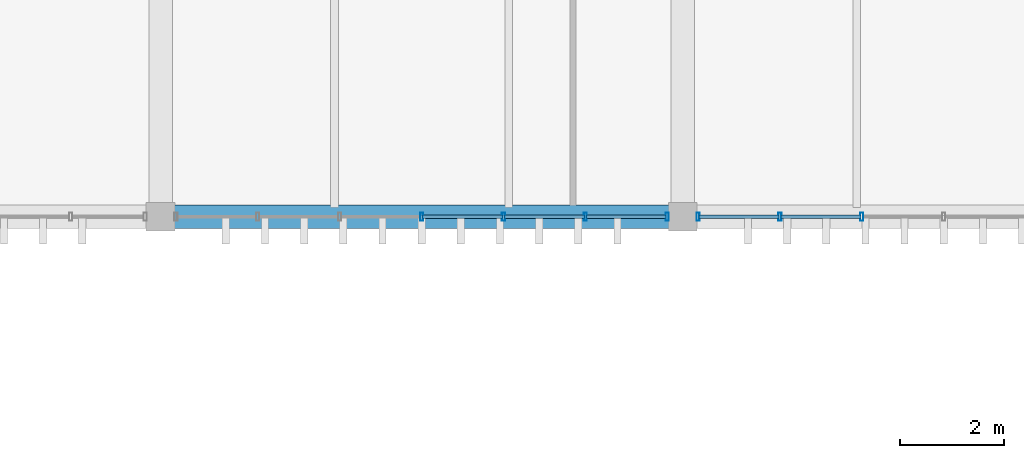
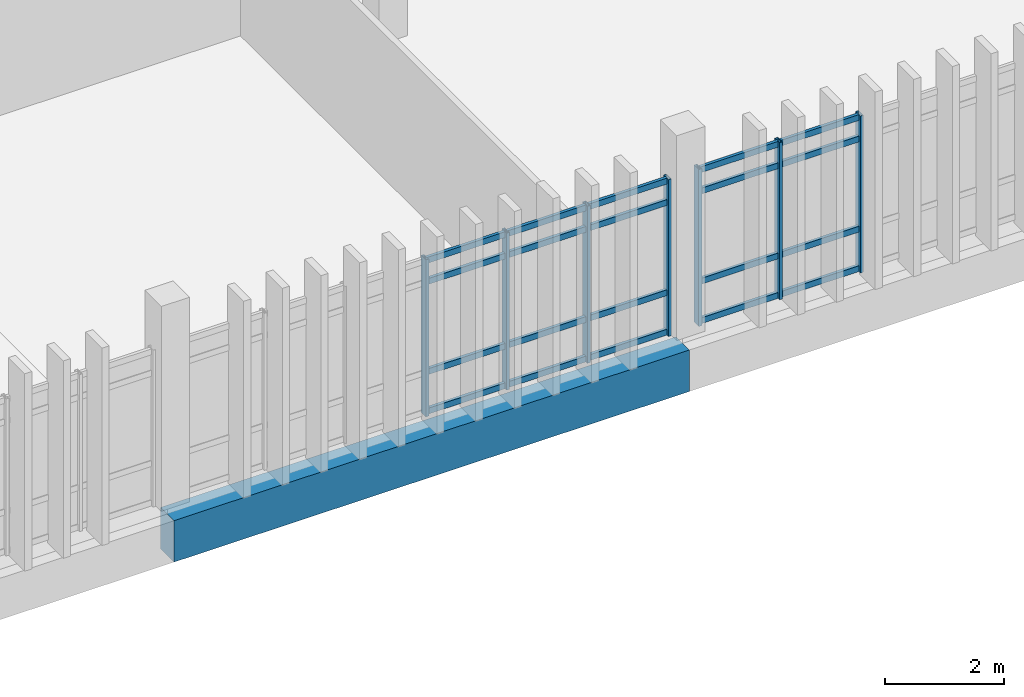
# One storey, part 7 of 29: 27 members, 1 beam, 2 elements without a shape of their own.
"""IFC4 building model written with IfcOpenShell, lengths in metres."""

from ifc_helpers import new_model, si_unit, direction, frame, origin, origin_2d, place, context, subcontext, project, spatial, rectangle, hollow_rectangle, extrude, material, layer, layer_set, material_profile, profile_set, type_object, element, aggregate, save


model = new_model("IFC4")

# Units and contexts
model_context = context("Model", 3, precision=1e-05, world=origin(), true_north=direction((0.0, 1.0)))
body_context = subcontext(model_context, "Body", "Model", "MODEL_VIEW")
ifc_project = project(units=[si_unit("LENGTHUNIT", "METRE"), si_unit("AREAUNIT", "SQUARE_METRE"), si_unit("VOLUMEUNIT", "CUBIC_METRE"), si_unit("PLANEANGLEUNIT", "RADIAN"), si_unit("MASSUNIT", "GRAM", prefix="KILO")], contexts=[model_context])

# Site, building, storey
site_placement = place(None, origin())
site = spatial("IfcSite", under=ifc_project, at=site_placement, CompositionType="ELEMENT")
building_placement = place(site_placement, origin())
building = spatial("IfcBuilding", under=site, at=building_placement, Name="Mersad Railyard Sports Hall", CompositionType="ELEMENT")
storey_placement = place(building_placement, frame((0.0, 0.0, 17.39990234375)))
storey = spatial("IfcBuildingStorey", under=building, at=storey_placement, Name="L04", CompositionType="ELEMENT", Elevation=17.39990234375)

# Curtain wall, members
ifc_material_1 = material(Name="Aluminium 6063-T6", Category="aluminium")
ifc_layer = layer(ifc_material_1, 0.159912109375)
ifc_layer_set = layer_set([ifc_layer], Name="Aluminium 6063-T6")
curtain_wall_type = type_object("IfcCurtainWallType", Name="ARC-CW-CW65", PredefinedType="USERDEFINED", material=ifc_layer_set)
curtain_wall_1_placement = place(storey_placement, origin())
curtain_wall_1 = element("IfcCurtainWall", 1, at=curtain_wall_1_placement, inside=storey, type_object=curtain_wall_type, Name="Curtain wall CW65-0168", ObjectType="CURTAIN WALL", PredefinedType="USERDEFINED")
ifc_material_profile_1 = material_profile(ifc_material_1, hollow_rectangle(XDim=0.06005859375, YDim=0.159912109375, WallThickness=0.00390625, at=origin_2d()), Name="AL MULLION 60x160x4")
ifc_profile_set_1 = profile_set([ifc_material_profile_1], Name="Aluminium 6063-T6")
member_type_1 = type_object("IfcMemberType", Name="ARC-CW-MUL01", PredefinedType="MULLION", material=ifc_profile_set_1)
member_1_placement = place(storey_placement, frame((100.705078125, 85.0, -0.02001953125), z_axis=(0.0, 0.0, 1.0), x_axis=(1.0, 0.0, 0.0)))
member_1 = element("IfcMember", 2, at=member_1_placement, type_object=member_type_1, Name="CW65 Mullion 1", PredefinedType="MULLION", context=body_context, shape_type="SweptSolid", body=[
    extrude(hollow_rectangle(XDim=0.06005859375, YDim=0.159912109375, WallThickness=0.00390625, at=origin_2d()), origin(), (0.0, 0.0, 1.0), 3.22021484375),
])
member_2_placement = place(storey_placement, frame((99.13671875, 85.0, -0.02001953125), z_axis=(0.0, 0.0, 1.0), x_axis=(1.0, 0.0, 0.0)))
member_2 = element("IfcMember", 3, at=member_2_placement, type_object=member_type_1, Name="CW65 Mullion 2", PredefinedType="MULLION", context=body_context, shape_type="SweptSolid", body=[
    extrude(hollow_rectangle(XDim=0.06005859375, YDim=0.159912109375, WallThickness=0.00390625, at=origin_2d()), origin(), (0.0, 0.0, 1.0), 3.22021484375),
])
member_3_placement = place(storey_placement, frame((97.568359375, 85.0, -0.02001953125), z_axis=(0.0, 0.0, 1.0), x_axis=(1.0, 0.0, 0.0)))
member_3 = element("IfcMember", 4, at=member_3_placement, type_object=member_type_1, Name="CW65 Mullion 3", PredefinedType="MULLION", context=body_context, shape_type="SweptSolid", body=[
    extrude(hollow_rectangle(XDim=0.06005859375, YDim=0.159912109375, WallThickness=0.00390625, at=origin_2d()), origin(), (0.0, 0.0, 1.0), 3.22021484375),
])
member_4_placement = place(storey_placement, frame((96.0, 85.0, -0.02001953125), z_axis=(0.0, 0.0, 1.0), x_axis=(1.0, 0.0, 0.0)))
member_4 = element("IfcMember", 5, at=member_4_placement, type_object=member_type_1, Name="CW65 Mullion 4", PredefinedType="MULLION", context=body_context, shape_type="SweptSolid", body=[
    extrude(hollow_rectangle(XDim=0.06005859375, YDim=0.159912109375, WallThickness=0.00390625, at=origin_2d()), origin(), (0.0, 0.0, 1.0), 3.22021484375),
])

curtain_wall_2_placement = place(storey_placement, origin())
curtain_wall_2 = element("IfcCurtainWall", 6, at=curtain_wall_2_placement, inside=storey, type_object=curtain_wall_type, Name="Curtain wall CW65-0169", ObjectType="CURTAIN WALL", PredefinedType="USERDEFINED")
member_5_placement = place(storey_placement, frame((104.431640625, 85.0, -0.02001953125), z_axis=(0.0, 0.0, 1.0), x_axis=(1.0, 0.0, 0.0)))
member_5 = element("IfcMember", 7, at=member_5_placement, type_object=member_type_1, Name="CW65 Mullion 5", PredefinedType="MULLION", context=body_context, shape_type="SweptSolid", body=[
    extrude(hollow_rectangle(XDim=0.06005859375, YDim=0.159912109375, WallThickness=0.00390625, at=origin_2d()), origin(), (0.0, 0.0, 1.0), 3.22021484375),
])
member_6_placement = place(storey_placement, frame((102.86328125, 85.0, -0.02001953125), z_axis=(0.0, 0.0, 1.0), x_axis=(1.0, 0.0, 0.0)))
member_6 = element("IfcMember", 8, at=member_6_placement, type_object=member_type_1, Name="CW65 Mullion 6", PredefinedType="MULLION", context=body_context, shape_type="SweptSolid", body=[
    extrude(hollow_rectangle(XDim=0.06005859375, YDim=0.159912109375, WallThickness=0.00390625, at=origin_2d()), origin(), (0.0, 0.0, 1.0), 3.22021484375),
])
member_7_placement = place(storey_placement, frame((101.294921875, 85.0, -0.02001953125), z_axis=(0.0, 0.0, 1.0), x_axis=(1.0, 0.0, 0.0)))
member_7 = element("IfcMember", 9, at=member_7_placement, type_object=member_type_1, Name="CW65 Mullion 7", PredefinedType="MULLION", context=body_context, shape_type="SweptSolid", body=[
    extrude(hollow_rectangle(XDim=0.06005859375, YDim=0.159912109375, WallThickness=0.00390625, at=origin_2d()), origin(), (0.0, 0.0, 1.0), 3.22021484375),
])

# Member
ifc_material_profile_2 = material_profile(ifc_material_1, hollow_rectangle(XDim=0.06005859375, YDim=0.1201171875, WallThickness=0.00390625, at=origin_2d()), Name="AL TRANSOM 60x120x4")
ifc_profile_set_2 = profile_set([ifc_material_profile_2], Name="Aluminium 6063-T6")
member_type_2 = type_object("IfcMemberType", Name="ARC-CW-TRN01", PredefinedType="USERDEFINED", material=ifc_profile_set_2)
member_8_placement = place(storey_placement, frame((100.68505859375, 85.0, 0.0400390625), z_axis=(-1.0, 0.0, 0.0), x_axis=(0.0, -1.0, 0.0)))
member_8 = element("IfcMember", 10, at=member_8_placement, type_object=member_type_2, Name="CW65 Transom 1-1", ObjectType="TRANSOM", PredefinedType="USERDEFINED", context=body_context, shape_type="SweptSolid", body=[
    extrude(hollow_rectangle(XDim=0.06005859375, YDim=0.1201171875, WallThickness=0.00390625, at=origin_2d()), origin(), (0.0, 0.0, 1.0), 1.5283203125),
])

member_9_placement = place(storey_placement, frame((99.11669921875, 85.0, 0.0400390625), z_axis=(-1.0, 0.0, 0.0), x_axis=(0.0, -1.0, 0.0)))
member_9 = element("IfcMember", 11, at=member_9_placement, type_object=member_type_2, Name="CW65 Transom 1-2", ObjectType="TRANSOM", PredefinedType="USERDEFINED", context=body_context, shape_type="SweptSolid", body=[
    extrude(hollow_rectangle(XDim=0.06005859375, YDim=0.1201171875, WallThickness=0.00390625, at=origin_2d()), origin(), (0.0, 0.0, 1.0), 1.5283203125),
])

member_10_placement = place(storey_placement, frame((97.54833984375, 85.0, 0.0400390625), z_axis=(-1.0, 0.0, 0.0), x_axis=(0.0, -1.0, 0.0)))
member_10 = element("IfcMember", 12, at=member_10_placement, type_object=member_type_2, Name="CW65 Transom 1-3", ObjectType="TRANSOM", PredefinedType="USERDEFINED", context=body_context, shape_type="SweptSolid", body=[
    extrude(hollow_rectangle(XDim=0.06005859375, YDim=0.1201171875, WallThickness=0.00390625, at=origin_2d()), origin(), (0.0, 0.0, 1.0), 1.5283203125),
])

member_11_placement = place(storey_placement, frame((100.68505859375, 85.0, 0.85009765625), z_axis=(-1.0, 0.0, 0.0), x_axis=(0.0, -1.0, 0.0)))
member_11 = element("IfcMember", 13, at=member_11_placement, type_object=member_type_2, Name="CW65 Transom 2-1", ObjectType="TRANSOM", PredefinedType="USERDEFINED", context=body_context, shape_type="SweptSolid", body=[
    extrude(hollow_rectangle(XDim=0.06005859375, YDim=0.1201171875, WallThickness=0.00390625, at=origin_2d()), origin(), (0.0, 0.0, 1.0), 1.5283203125),
])

member_12_placement = place(storey_placement, frame((99.11669921875, 85.0, 0.85009765625), z_axis=(-1.0, 0.0, 0.0), x_axis=(0.0, -1.0, 0.0)))
member_12 = element("IfcMember", 14, at=member_12_placement, type_object=member_type_2, Name="CW65 Transom 2-2", ObjectType="TRANSOM", PredefinedType="USERDEFINED", context=body_context, shape_type="SweptSolid", body=[
    extrude(hollow_rectangle(XDim=0.06005859375, YDim=0.1201171875, WallThickness=0.00390625, at=origin_2d()), origin(), (0.0, 0.0, 1.0), 1.5283203125),
])

member_13_placement = place(storey_placement, frame((97.54833984375, 85.0, 0.85009765625), z_axis=(-1.0, 0.0, 0.0), x_axis=(0.0, -1.0, 0.0)))
member_13 = element("IfcMember", 15, at=member_13_placement, type_object=member_type_2, Name="CW65 Transom 2-3", ObjectType="TRANSOM", PredefinedType="USERDEFINED", context=body_context, shape_type="SweptSolid", body=[
    extrude(hollow_rectangle(XDim=0.06005859375, YDim=0.1201171875, WallThickness=0.00390625, at=origin_2d()), origin(), (0.0, 0.0, 1.0), 1.5283203125),
])

member_14_placement = place(storey_placement, frame((100.68505859375, 85.0, 2.7001953125), z_axis=(-1.0, 0.0, 0.0), x_axis=(0.0, -1.0, 0.0)))
member_14 = element("IfcMember", 16, at=member_14_placement, type_object=member_type_2, Name="CW65 Transom 3-1", ObjectType="TRANSOM", PredefinedType="USERDEFINED", context=body_context, shape_type="SweptSolid", body=[
    extrude(hollow_rectangle(XDim=0.06005859375, YDim=0.1201171875, WallThickness=0.00390625, at=origin_2d()), origin(), (0.0, 0.0, 1.0), 1.5283203125),
])

member_15_placement = place(storey_placement, frame((99.11669921875, 85.0, 2.7001953125), z_axis=(-1.0, 0.0, 0.0), x_axis=(0.0, -1.0, 0.0)))
member_15 = element("IfcMember", 17, at=member_15_placement, type_object=member_type_2, Name="CW65 Transom 3-2", ObjectType="TRANSOM", PredefinedType="USERDEFINED", context=body_context, shape_type="SweptSolid", body=[
    extrude(hollow_rectangle(XDim=0.06005859375, YDim=0.1201171875, WallThickness=0.00390625, at=origin_2d()), origin(), (0.0, 0.0, 1.0), 1.5283203125),
])

member_16_placement = place(storey_placement, frame((97.54833984375, 85.0, 2.7001953125), z_axis=(-1.0, 0.0, 0.0), x_axis=(0.0, -1.0, 0.0)))
member_16 = element("IfcMember", 18, at=member_16_placement, type_object=member_type_2, Name="CW65 Transom 3-3", ObjectType="TRANSOM", PredefinedType="USERDEFINED", context=body_context, shape_type="SweptSolid", body=[
    extrude(hollow_rectangle(XDim=0.06005859375, YDim=0.1201171875, WallThickness=0.00390625, at=origin_2d()), origin(), (0.0, 0.0, 1.0), 1.5283203125),
])

member_17_placement = place(storey_placement, frame((100.68505859375, 85.0, 3.14013671875), z_axis=(-1.0, 0.0, 0.0), x_axis=(0.0, -1.0, 0.0)))
member_17 = element("IfcMember", 19, at=member_17_placement, type_object=member_type_2, Name="CW65 Transom 4-1", ObjectType="TRANSOM", PredefinedType="USERDEFINED", context=body_context, shape_type="SweptSolid", body=[
    extrude(hollow_rectangle(XDim=0.06005859375, YDim=0.1201171875, WallThickness=0.00390625, at=origin_2d()), origin(), (0.0, 0.0, 1.0), 1.5283203125),
])

member_18_placement = place(storey_placement, frame((99.11669921875, 85.0, 3.14013671875), z_axis=(-1.0, 0.0, 0.0), x_axis=(0.0, -1.0, 0.0)))
member_18 = element("IfcMember", 20, at=member_18_placement, type_object=member_type_2, Name="CW65 Transom 4-2", ObjectType="TRANSOM", PredefinedType="USERDEFINED", context=body_context, shape_type="SweptSolid", body=[
    extrude(hollow_rectangle(XDim=0.06005859375, YDim=0.1201171875, WallThickness=0.00390625, at=origin_2d()), origin(), (0.0, 0.0, 1.0), 1.5283203125),
])

member_19_placement = place(storey_placement, frame((97.54833984375, 85.0, 3.14013671875), z_axis=(-1.0, 0.0, 0.0), x_axis=(0.0, -1.0, 0.0)))
member_19 = element("IfcMember", 21, at=member_19_placement, type_object=member_type_2, Name="CW65 Transom 4-3", ObjectType="TRANSOM", PredefinedType="USERDEFINED", context=body_context, shape_type="SweptSolid", body=[
    extrude(hollow_rectangle(XDim=0.06005859375, YDim=0.1201171875, WallThickness=0.00390625, at=origin_2d()), origin(), (0.0, 0.0, 1.0), 1.5283203125),
])

aggregate(curtain_wall_1, [member_1, member_2, member_3, member_4, member_8, member_9, member_10, member_11, member_12, member_13, member_14, member_15, member_16, member_17, member_18, member_19])

member_20_placement = place(storey_placement, frame((104.41162109375, 85.0, 0.0400390625), z_axis=(-1.0, 0.0, 0.0), x_axis=(0.0, -1.0, 0.0)))
member_20 = element("IfcMember", 22, at=member_20_placement, type_object=member_type_2, Name="CW65 Transom 1-5", ObjectType="TRANSOM", PredefinedType="USERDEFINED", context=body_context, shape_type="SweptSolid", body=[
    extrude(hollow_rectangle(XDim=0.06005859375, YDim=0.1201171875, WallThickness=0.00390625, at=origin_2d()), origin(), (0.0, 0.0, 1.0), 1.5283203125),
])

member_21_placement = place(storey_placement, frame((102.84326171875, 85.0, 0.0400390625), z_axis=(-1.0, 0.0, 0.0), x_axis=(0.0, -1.0, 0.0)))
member_21 = element("IfcMember", 23, at=member_21_placement, type_object=member_type_2, Name="CW65 Transom 1-6", ObjectType="TRANSOM", PredefinedType="USERDEFINED", context=body_context, shape_type="SweptSolid", body=[
    extrude(hollow_rectangle(XDim=0.06005859375, YDim=0.1201171875, WallThickness=0.00390625, at=origin_2d()), origin(), (0.0, 0.0, 1.0), 1.5283203125),
])

member_22_placement = place(storey_placement, frame((104.41162109375, 85.0, 0.85009765625), z_axis=(-1.0, 0.0, 0.0), x_axis=(0.0, -1.0, 0.0)))
member_22 = element("IfcMember", 24, at=member_22_placement, type_object=member_type_2, Name="CW65 Transom 2-5", ObjectType="TRANSOM", PredefinedType="USERDEFINED", context=body_context, shape_type="SweptSolid", body=[
    extrude(hollow_rectangle(XDim=0.06005859375, YDim=0.1201171875, WallThickness=0.00390625, at=origin_2d()), origin(), (0.0, 0.0, 1.0), 1.5283203125),
])

member_23_placement = place(storey_placement, frame((102.84326171875, 85.0, 0.85009765625), z_axis=(-1.0, 0.0, 0.0), x_axis=(0.0, -1.0, 0.0)))
member_23 = element("IfcMember", 25, at=member_23_placement, type_object=member_type_2, Name="CW65 Transom 2-6", ObjectType="TRANSOM", PredefinedType="USERDEFINED", context=body_context, shape_type="SweptSolid", body=[
    extrude(hollow_rectangle(XDim=0.06005859375, YDim=0.1201171875, WallThickness=0.00390625, at=origin_2d()), origin(), (0.0, 0.0, 1.0), 1.5283203125),
])

member_24_placement = place(storey_placement, frame((104.41162109375, 85.0, 2.7001953125), z_axis=(-1.0, 0.0, 0.0), x_axis=(0.0, -1.0, 0.0)))
member_24 = element("IfcMember", 26, at=member_24_placement, type_object=member_type_2, Name="CW65 Transom 3-5", ObjectType="TRANSOM", PredefinedType="USERDEFINED", context=body_context, shape_type="SweptSolid", body=[
    extrude(hollow_rectangle(XDim=0.06005859375, YDim=0.1201171875, WallThickness=0.00390625, at=origin_2d()), origin(), (0.0, 0.0, 1.0), 1.5283203125),
])

member_25_placement = place(storey_placement, frame((102.84326171875, 85.0, 2.7001953125), z_axis=(-1.0, 0.0, 0.0), x_axis=(0.0, -1.0, 0.0)))
member_25 = element("IfcMember", 27, at=member_25_placement, type_object=member_type_2, Name="CW65 Transom 3-6", ObjectType="TRANSOM", PredefinedType="USERDEFINED", context=body_context, shape_type="SweptSolid", body=[
    extrude(hollow_rectangle(XDim=0.06005859375, YDim=0.1201171875, WallThickness=0.00390625, at=origin_2d()), origin(), (0.0, 0.0, 1.0), 1.5283203125),
])

member_26_placement = place(storey_placement, frame((104.41162109375, 85.0, 3.14013671875), z_axis=(-1.0, 0.0, 0.0), x_axis=(0.0, -1.0, 0.0)))
member_26 = element("IfcMember", 28, at=member_26_placement, type_object=member_type_2, Name="CW65 Transom 4-5", ObjectType="TRANSOM", PredefinedType="USERDEFINED", context=body_context, shape_type="SweptSolid", body=[
    extrude(hollow_rectangle(XDim=0.06005859375, YDim=0.1201171875, WallThickness=0.00390625, at=origin_2d()), origin(), (0.0, 0.0, 1.0), 1.5283203125),
])

member_27_placement = place(storey_placement, frame((102.84326171875, 85.0, 3.14013671875), z_axis=(-1.0, 0.0, 0.0), x_axis=(0.0, -1.0, 0.0)))
member_27 = element("IfcMember", 29, at=member_27_placement, type_object=member_type_2, Name="CW65 Transom 4-6", ObjectType="TRANSOM", PredefinedType="USERDEFINED", context=body_context, shape_type="SweptSolid", body=[
    extrude(hollow_rectangle(XDim=0.06005859375, YDim=0.1201171875, WallThickness=0.00390625, at=origin_2d()), origin(), (0.0, 0.0, 1.0), 1.5283203125),
])

aggregate(curtain_wall_2, [member_5, member_6, member_7, member_20, member_21, member_22, member_23, member_24, member_25, member_26, member_27])

# Beam
ifc_material_2 = material(Name="Concrete C40/50", Category="concrete")
ifc_material_profile_3 = material_profile(ifc_material_2, rectangle(XDim=0.449951171875, YDim=0.85009765625, at=origin_2d()), Name="RC 450x850")
ifc_profile_set_3 = profile_set([ifc_material_profile_3], Name="Concrete C40/50")
beam_type = type_object("IfcBeamType", Name="STR-BM-B02", PredefinedType="BEAM", material=ifc_profile_set_3)
beam_placement = place(storey_placement, frame((91.0, 85.0, -0.744873046875), z_axis=(1.0, 0.0, 0.0), x_axis=(0.0, 1.0, 0.0)))
element("IfcBeam", 30, at=beam_placement, inside=storey, type_object=beam_type, Name="Beam B02-1317", PredefinedType="BEAM", context=body_context, shape_type="SweptSolid", body=[
    extrude(rectangle(XDim=0.449951171875, YDim=0.85009765625, at=origin_2d()), origin(), (0.0, 0.0, 1.0), 10.0),
])

save(model, "model.ifc")
